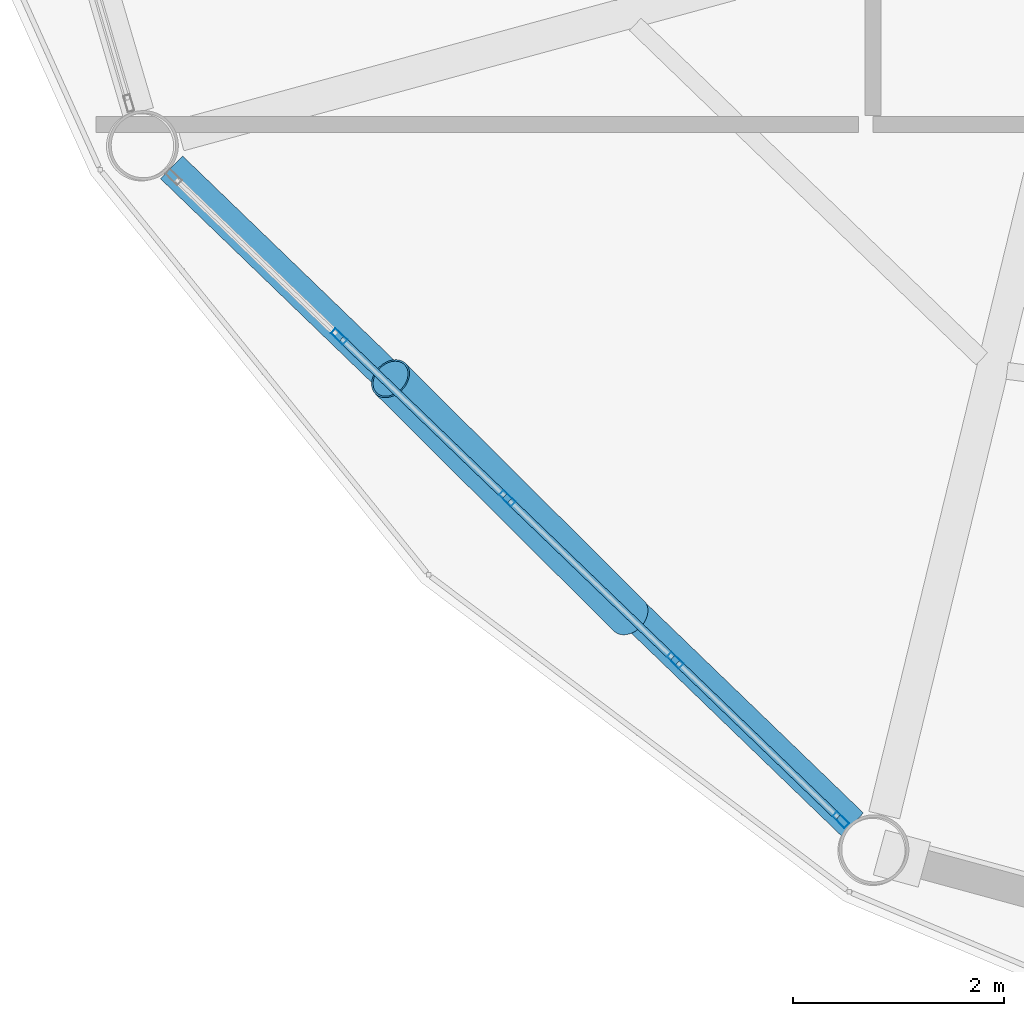
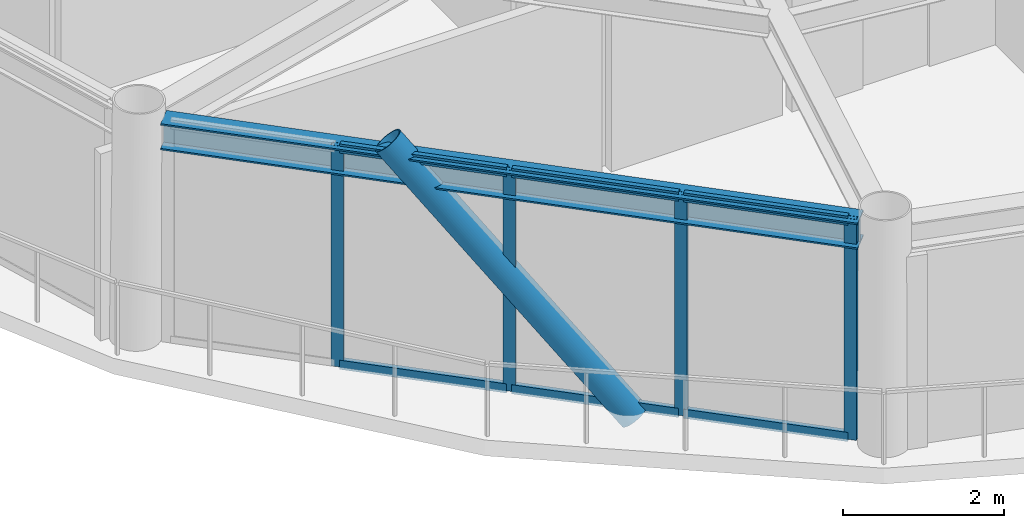
# One storey, part 2 of 26: 11 members, 1 beam, 1 element without a shape of its own.
"""IFC4 building model written with IfcOpenShell, lengths in metres."""

from ifc_helpers import new_model, si_unit, direction, frame, origin, origin_2d, place, context, subcontext, project, spatial, hollow_rectangle, hollow_circle, i_section, extrude, material, layer, layer_set, material_profile, profile_set, type_object, element, aggregate, save


model = new_model("IFC4")

# Units and contexts
model_context = context("Model", 3, precision=1e-05, world=origin(), true_north=direction((0.0, 1.0)))
body_context = subcontext(model_context, "Body", "Model", "MODEL_VIEW")
ifc_project = project(units=[si_unit("LENGTHUNIT", "METRE"), si_unit("AREAUNIT", "SQUARE_METRE"), si_unit("VOLUMEUNIT", "CUBIC_METRE"), si_unit("PLANEANGLEUNIT", "RADIAN"), si_unit("MASSUNIT", "GRAM", prefix="KILO")], contexts=[model_context])

# Site, building, storey
site_placement = place(None, origin())
site = spatial("IfcSite", under=ifc_project, at=site_placement, CompositionType="ELEMENT")
building_placement = place(site_placement, origin())
building = spatial("IfcBuilding", under=site, at=building_placement, Name="Varnakorn Sky Granary", CompositionType="ELEMENT")
storey_placement = place(building_placement, frame((0.0, 0.0, 218.39990234375)))
storey = spatial("IfcBuildingStorey", under=building, at=storey_placement, Name="L55", CompositionType="ELEMENT", Elevation=218.39990234375)

# Beam
ifc_material_1 = material(Name="Steel S355JR", Category="steel")
ifc_material_profile_1 = material_profile(ifc_material_1, i_section(OverallWidth=0.300048828125, OverallDepth=0.39990234375, WebThickness=0.013427734375, FlangeThickness=0.02392578125, at=origin_2d()), Name="HE 400 B")
ifc_profile_set_1 = profile_set([ifc_material_profile_1], Name="Steel S355JR")
beam_type = type_object("IfcBeamType", Name="BM-SPD-Z4", PredefinedType="SPANDREL", material=ifc_profile_set_1)
beam_placement = place(storey_placement, frame((-11.23388671875, -9.30615234375, 3.16015625), z_axis=(0.719570177796, -0.694419728426, 0.0), x_axis=(0.694419728426, 0.719570177796, 0.0)))
element("IfcBeam", 1, at=beam_placement, inside=storey, type_object=beam_type, Name="Perimeter Spandrel Ring Beam RB08 L55", PredefinedType="SPANDREL", context=body_context, shape_type="SweptSolid", body=[
    extrude(i_section(OverallWidth=0.300048828125, OverallDepth=0.39990234375, WebThickness=0.013427734375, FlangeThickness=0.02392578125, at=origin_2d()), origin(), (0.0, 0.0, 1.0), 8.949951171875),
])

# Curtain wall, members
ifc_material_2 = material(Name="Anodised Bronze Aluminium Alloy 6063-T6", Category="aluminium")
ifc_layer = layer(ifc_material_2, 0.169921875, Name="Anodised Bronze Aluminium Alloy 6063-T6")
ifc_layer_set = layer_set([ifc_layer], Name="Anodised Bronze Aluminium Alloy 6063-T6")
curtain_wall_type = type_object("IfcCurtainWallType", Name="CW-LAB-1", PredefinedType="USERDEFINED", material=ifc_layer_set)
curtain_wall_placement = place(storey_placement, origin())
curtain_wall = element("IfcCurtainWall", 2, at=curtain_wall_placement, inside=storey, type_object=curtain_wall_type, Name="Unitised Curtain Wall CW5 CW-L55-B08", ObjectType="CURTAIN WALL", PredefinedType="USERDEFINED")
ifc_material_profile_2 = material_profile(ifc_material_2, hollow_rectangle(XDim=0.06494140625, YDim=0.159912109375, WallThickness=0.00341796875, at=origin_2d()), Name="ALU MULL 65x160")
ifc_profile_set_2 = profile_set([ifc_material_profile_2], Name="Anodised Bronze Aluminium Alloy 6063-T6")
member_type_1 = type_object("IfcMemberType", Name="CW-LAB-1-MULL", PredefinedType="MULLION", material=ifc_profile_set_2)
member_1_placement = place(storey_placement, frame((-4.9052734375, -15.476318359375, 0.0), z_axis=(0.0, 0.0, 1.0), x_axis=(-0.693784930795, -0.72018224763, 0.0)))
member_1 = element("IfcMember", 3, at=member_1_placement, type_object=member_type_1, Name="CW5 mullion 1", PredefinedType="MULLION", context=body_context, shape_type="SweptSolid", body=[
    extrude(hollow_rectangle(XDim=0.06494140625, YDim=0.159912109375, WallThickness=0.00341796875, at=origin_2d()), origin(), (0.0, 0.0, 1.0), 3.360107421875),
])
member_2_placement = place(storey_placement, frame((-6.47119140625, -13.968017578125, 0.0), z_axis=(0.0, 0.0, 1.0), x_axis=(-0.693784930795, -0.72018224763, 0.0)))
member_2 = element("IfcMember", 4, at=member_2_placement, type_object=member_type_1, Name="CW5 mullion 2", PredefinedType="MULLION", context=body_context, shape_type="SweptSolid", body=[
    extrude(hollow_rectangle(XDim=0.06494140625, YDim=0.159912109375, WallThickness=0.00341796875, at=origin_2d()), origin(), (0.0, 0.0, 1.0), 3.360107421875),
])
member_3_placement = place(storey_placement, frame((-8.060302734375, -12.43701171875, 0.0), z_axis=(0.0, 0.0, 1.0), x_axis=(-0.693784930795, -0.72018224763, 0.0)))
member_3 = element("IfcMember", 5, at=member_3_placement, type_object=member_type_1, Name="CW5 mullion 3", PredefinedType="MULLION", context=body_context, shape_type="SweptSolid", body=[
    extrude(hollow_rectangle(XDim=0.06494140625, YDim=0.159912109375, WallThickness=0.00341796875, at=origin_2d()), origin(), (0.0, 0.0, 1.0), 3.360107421875),
])
member_4_placement = place(storey_placement, frame((-9.6494140625, -10.906005859375, 0.0), z_axis=(0.0, 0.0, 1.0), x_axis=(-0.693784930795, -0.72018224763, 0.0)))
member_4 = element("IfcMember", 6, at=member_4_placement, type_object=member_type_1, Name="CW5 mullion 4", PredefinedType="MULLION", context=body_context, shape_type="SweptSolid", body=[
    extrude(hollow_rectangle(XDim=0.06494140625, YDim=0.159912109375, WallThickness=0.00341796875, at=origin_2d()), origin(), (0.0, 0.0, 1.0), 3.360107421875),
])
ifc_material_profile_3 = material_profile(ifc_material_2, hollow_rectangle(XDim=0.070068359375, YDim=0.139892578125, WallThickness=0.00341796875, at=origin_2d()), Name="ALU TRAN 70x140")
ifc_profile_set_3 = profile_set([ifc_material_profile_3], Name="Anodised Bronze Aluminium Alloy 6063-T6")
member_type_2 = type_object("IfcMemberType", Name="CW-LAB-1-TRAN", PredefinedType="USERDEFINED", material=ifc_profile_set_3)
member_5_placement = place(storey_placement, frame((-4.9287109375, -15.453857421875, 0.03515625), z_axis=(-0.72017883047, 0.693788477955, 0.0), x_axis=(-0.693788477955, -0.72017883047, 0.0)))
member_5 = element("IfcMember", 7, at=member_5_placement, type_object=member_type_2, Name="CW5 transom 1.1", ObjectType="TRANSOM", PredefinedType="USERDEFINED", context=body_context, shape_type="SweptSolid", body=[
    extrude(hollow_rectangle(XDim=0.070068359375, YDim=0.139892578125, WallThickness=0.00341796875, at=origin_2d()), origin(), (0.0, 0.0, 1.0), 2.109375),
])
member_6_placement = place(storey_placement, frame((-4.9287109375, -15.453857421875, 3.3251953125), z_axis=(-0.72017883047, 0.693788477955, 0.0), x_axis=(-0.693788477955, -0.72017883047, 0.0)))
member_6 = element("IfcMember", 8, at=member_6_placement, type_object=member_type_2, Name="CW5 transom 1.2", ObjectType="TRANSOM", PredefinedType="USERDEFINED", context=body_context, shape_type="SweptSolid", body=[
    extrude(hollow_rectangle(XDim=0.070068359375, YDim=0.139892578125, WallThickness=0.00341796875, at=origin_2d()), origin(), (0.0, 0.0, 1.0), 2.109375),
])
member_7_placement = place(storey_placement, frame((-6.494384765625, -13.9453125, 0.03515625), z_axis=(-0.720206292146, 0.693759970561, 0.0), x_axis=(-0.693759970561, -0.720206292146, 0.0)))
member_7 = element("IfcMember", 9, at=member_7_placement, type_object=member_type_2, Name="CW5 transom 2.1", ObjectType="TRANSOM", PredefinedType="USERDEFINED", context=body_context, shape_type="SweptSolid", body=[
    extrude(hollow_rectangle(XDim=0.070068359375, YDim=0.139892578125, WallThickness=0.00341796875, at=origin_2d()), origin(), (0.0, 0.0, 1.0), 2.1416015625),
])
member_8_placement = place(storey_placement, frame((-6.494384765625, -13.9453125, 3.3251953125), z_axis=(-0.720206292146, 0.693759970561, 0.0), x_axis=(-0.693759970561, -0.720206292146, 0.0)))
member_8 = element("IfcMember", 10, at=member_8_placement, type_object=member_type_2, Name="CW5 transom 2.2", ObjectType="TRANSOM", PredefinedType="USERDEFINED", context=body_context, shape_type="SweptSolid", body=[
    extrude(hollow_rectangle(XDim=0.070068359375, YDim=0.139892578125, WallThickness=0.00341796875, at=origin_2d()), origin(), (0.0, 0.0, 1.0), 2.1416015625),
])
member_9_placement = place(storey_placement, frame((-8.083740234375, -12.41455078125, 0.03515625), z_axis=(-0.720151420341, 0.693816929586, 0.0), x_axis=(-0.693816929586, -0.720151420341, 0.0)))
member_9 = element("IfcMember", 11, at=member_9_placement, type_object=member_type_2, Name="CW5 transom 3.1", ObjectType="TRANSOM", PredefinedType="USERDEFINED", context=body_context, shape_type="SweptSolid", body=[
    extrude(hollow_rectangle(XDim=0.070068359375, YDim=0.139892578125, WallThickness=0.00341796875, at=origin_2d()), origin(), (0.0, 0.0, 1.0), 2.1416015625),
])
member_10_placement = place(storey_placement, frame((-8.083740234375, -12.41455078125, 3.3251953125), z_axis=(-0.720151420341, 0.693816929586, 0.0), x_axis=(-0.693816929586, -0.720151420341, 0.0)))
member_10 = element("IfcMember", 12, at=member_10_placement, type_object=member_type_2, Name="CW5 transom 3.2", ObjectType="TRANSOM", PredefinedType="USERDEFINED", context=body_context, shape_type="SweptSolid", body=[
    extrude(hollow_rectangle(XDim=0.070068359375, YDim=0.139892578125, WallThickness=0.00341796875, at=origin_2d()), origin(), (0.0, 0.0, 1.0), 2.1416015625),
])
aggregate(curtain_wall, [member_1, member_2, member_3, member_4, member_5, member_6, member_7, member_8, member_9, member_10])

# Member
ifc_material_3 = material(Name="Steel S460M", Category="steel")
ifc_material_profile_4 = material_profile(ifc_material_3, hollow_circle(Radius=0.203125, WallThickness=0.01611328125, at=origin_2d()), Name="CHS 406.4x16")
ifc_profile_set_4 = profile_set([ifc_material_profile_4], Name="Steel S460M")
member_type_3 = type_object("IfcMemberType", Name="MB-DIAG-T4", PredefinedType="BRACE", material=ifc_profile_set_4)
member_11_placement = place(storey_placement, frame((-6.9072265625, -13.5478515625, -0.1298828125), z_axis=(-0.468075039278, 0.465440565629, 0.751179630629), x_axis=(-0.705108447877, -0.709099482958, 0.0)))
element("IfcMember", 13, at=member_11_placement, inside=storey, type_object=member_type_3, Name="Perimeter CHS Diagrid Brace DG08 L55", PredefinedType="BRACE", context=body_context, shape_type="SweptSolid", body=[
    extrude(hollow_circle(Radius=0.203125, WallThickness=0.01611328125, at=origin_2d()), origin(), (0.0, 0.0, 1.0), 4.81884765625),
])

save(model, "model.ifc")
